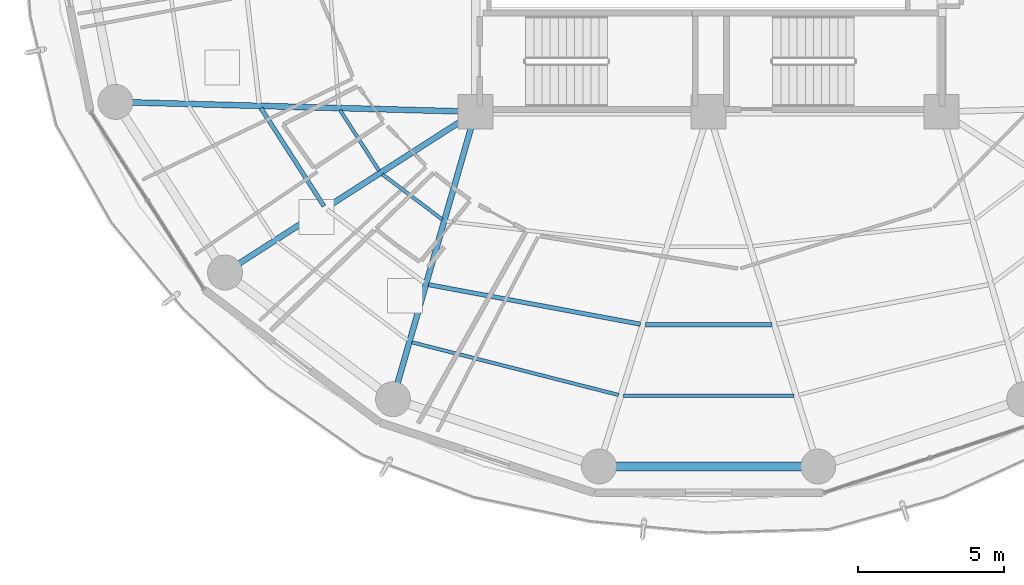
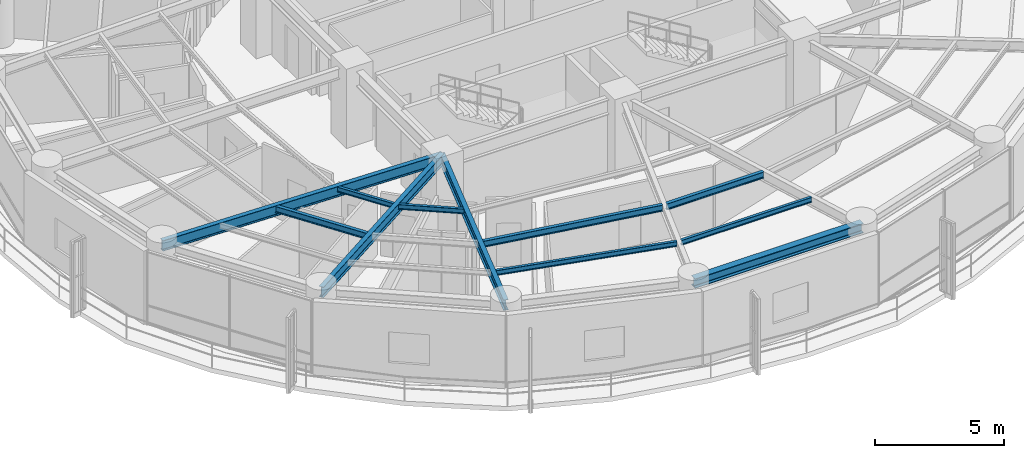
# One storey, part 3 of 28: 11 beams.
"""IFC4 building model written with IfcOpenShell, lengths in metres."""

import ifcopenshell
import ifcopenshell.guid

model = None  # the IFC model being written
_history = None  # IfcOwnerHistory: only IFC2X3 demands one
_inside = {}  # id of a spatial element -> (the spatial element, [elements in it])
_under = {}  # id of a project, library or spatial element -> (it, [spatial elements below it])
_declared = {}  # id of a project -> (the project, [libraries it declares])
_typed = {}  # id of a type object -> (the type object, [elements of that type])
_made_of = {}  # id of a material, layer set ... -> (it, [elements and type objects made of it])


def new_model(schema):
    """Start an empty IFC model of exactly this schema.

    Asked for "IFC4X3", IfcOpenShell would pick the latest addendum, in which some entities
    have other attributes; the version numbers below select the first issue.
    IFC2X3 requires an IfcOwnerHistory on every rooted entity: one is made here for all.
    """
    global model, _history
    if schema == "IFC4X3":
        model = ifcopenshell.file(schema_version=(4, 3, 0, 0))
    else:
        model = ifcopenshell.file(schema=schema)
    _inside.clear()
    _under.clear()
    _declared.clear()
    _typed.clear()
    _made_of.clear()
    _history = None
    if model.schema == "IFC2X3":
        org = make("IfcOrganization", Name="unknown")
        user = make(
            "IfcPersonAndOrganization",
            ThePerson=make("IfcPerson", FamilyName="unknown"),
            TheOrganization=org,
        )
        app = make(
            "IfcApplication",
            ApplicationDeveloper=org,
            Version="unknown",
            ApplicationFullName="unknown",
            ApplicationIdentifier="unknown",
        )
        _history = make(
            "IfcOwnerHistory",
            OwningUser=user,
            OwningApplication=app,
            ChangeAction="ADDED",
            CreationDate=0,
        )
    return model


def make(cls, **values):
    """One entity of the class cls with the attributes given. An attribute that is None is left unset."""
    return model.create_entity(
        cls, **{name: value for name, value in values.items() if value is not None}
    )


def rooted(cls, **values):
    """An entity with a GlobalId (a new one), such as an element, a storey or a relation."""
    return make(cls, GlobalId=ifcopenshell.guid.new(), OwnerHistory=_history, **values)


def si_unit(unit_type, name, prefix=None):
    """IfcSIUnit, for example si_unit("LENGTHUNIT", "METRE", prefix="MILLI")."""
    return make("IfcSIUnit", UnitType=unit_type, Prefix=prefix, Name=name)


def assignment(units):
    """IfcUnitAssignment: the units of a project."""
    return None if units is None else make("IfcUnitAssignment", Units=units)


def point(xyz):
    """IfcCartesianPoint."""
    return None if xyz is None else make("IfcCartesianPoint", Coordinates=xyz)


def direction(xyz):
    """IfcDirection."""
    return None if xyz is None else make("IfcDirection", DirectionRatios=xyz)


def frame(location, z_axis=None, x_axis=None):
    """IfcAxis2Placement3D, a coordinate frame: its origin and axes. An axis left out is left unset."""
    return make(
        "IfcAxis2Placement3D",
        Location=point(location),
        Axis=direction(z_axis),
        RefDirection=direction(x_axis),
    )


def frame_2d(location, x_axis=None):
    """IfcAxis2Placement2D, a coordinate frame in the plane: its origin and x axis."""
    return make(
        "IfcAxis2Placement2D", Location=point(location), RefDirection=direction(x_axis)
    )


def origin():
    """The frame at (0, 0, 0) with its axes left unset."""
    return frame((0.0, 0.0, 0.0))


def origin_2d():
    """The frame at (0, 0) in the plane with its x axis left unset."""
    return frame_2d((0.0, 0.0))


def place(relative_to, where):
    """IfcLocalPlacement: puts the frame where relative to a parent placement (None: the world)."""
    return make(
        "IfcLocalPlacement", PlacementRelTo=relative_to, RelativePlacement=where
    )


def context(
    kind, dimensions, precision=None, world=None, true_north=None, identifier=None
):
    """IfcGeometricRepresentationContext, for example the 3D "Model" context."""
    return make(
        "IfcGeometricRepresentationContext",
        ContextIdentifier=identifier,
        ContextType=kind,
        CoordinateSpaceDimension=dimensions,
        Precision=precision,
        WorldCoordinateSystem=world,
        TrueNorth=true_north,
    )


def subcontext(parent, identifier, kind, view, scale=None):
    """IfcGeometricRepresentationSubContext, for example "Body" below "Model"."""
    return make(
        "IfcGeometricRepresentationSubContext",
        ContextIdentifier=identifier,
        ContextType=kind,
        ParentContext=parent,
        TargetScale=scale,
        TargetView=view,
    )


def project(units=None, contexts=None):
    """IfcProject with its units and contexts."""
    return rooted(
        "IfcProject",
        Name="project",
        RepresentationContexts=contexts,
        UnitsInContext=assignment(units),
    )


def spatial(cls, under=None, at=None, **own):
    """A site, building, storey or space (cls), placed at a placement, below another one or the project."""
    s = rooted(cls, ObjectPlacement=at, **own)
    if under is not None:
        _under.setdefault(under.id(), (under, []))[1].append(s)
    return s


def profile(cls, at=None, kind="AREA", **sizes):
    """A parametric profile (cls). Its sizes go by their IFC names, for example OverallWidth=200.0."""
    return make(cls, ProfileType=kind, Position=at, **sizes)


def i_section(**sizes):
    """IfcIShapeProfileDef."""
    return profile("IfcIShapeProfileDef", **sizes)


def extrude(swept, where, along, depth):
    """IfcExtrudedAreaSolid: the profile swept, set in the frame where, extruded along a direction by depth."""
    return make(
        "IfcExtrudedAreaSolid",
        SweptArea=swept,
        Position=where,
        ExtrudedDirection=direction(along),
        Depth=depth,
    )


def shape(context_of_items, identifier, shape_type, items):
    """IfcShapeRepresentation: the items that make up one representation, for example the "Body"."""
    return make(
        "IfcShapeRepresentation",
        ContextOfItems=context_of_items,
        RepresentationIdentifier=identifier,
        RepresentationType=shape_type,
        Items=items,
    )


def material(Name=None, Category=None):
    """IfcMaterial."""
    return make("IfcMaterial", Name=Name, Category=Category)


def material_profile(
    of_material, cross_section, Name=None, Category=None, Priority=None
):
    """IfcMaterialProfile: a cross section and its material."""
    return make(
        "IfcMaterialProfile",
        Name=Name,
        Material=of_material,
        Profile=cross_section,
        Priority=Priority,
        Category=Category,
    )


def profile_set(profiles, Name=None, composite=None):
    """IfcMaterialProfileSet."""
    return make(
        "IfcMaterialProfileSet",
        Name=Name,
        MaterialProfiles=profiles,
        CompositeProfile=composite,
    )


def made_of(thing, what):
    """Note that an element or type object is made of a material, layer set ...; save() writes the relation."""
    if what is not None:
        _made_of.setdefault(what.id(), (what, []))[1].append(thing)
    return thing


def type_object(cls, material=None, **own):
    """A type object (cls), such as IfcWallType, which elements share."""
    return made_of(rooted(cls, **own), material)


def element(
    cls,
    number,
    at=None,
    inside=None,
    cuts=None,
    type_object=None,
    material=None,
    context=None,
    identifier="Body",
    shape_type=None,
    held_by="IfcProductDefinitionShape",
    body=None,
    shapes=None,
    **own,
):
    """One element of the class cls, such as IfcWall. Its Tag is "e" and its number.

    at: its placement. inside: the storey or other place that contains it. cuts: it is an
    opening in that element (IfcRelVoidsElement). A single representation is given by context,
    identifier, shape_type and body (its items); several are given by shapes. held_by: the class
    of the entity that holds the representations. save() writes the other relations.
    """
    e = rooted(cls, Tag="e%d" % number, ObjectPlacement=at, **own)
    if body is not None:
        shapes = [shape(context, identifier, shape_type, body)]
    if shapes is not None:
        e.Representation = make(held_by, Representations=shapes)
    if inside is not None:
        _inside.setdefault(inside.id(), (inside, []))[1].append(e)
    if cuts is not None:
        rooted(
            "IfcRelVoidsElement", RelatingBuildingElement=cuts, RelatedOpeningElement=e
        )
    if type_object is not None:
        _typed.setdefault(type_object.id(), (type_object, []))[1].append(e)
    return made_of(e, material)


def aggregate(whole, parts):
    """IfcRelAggregates: a whole, such as a stair, and the parts it consists of."""
    return rooted("IfcRelAggregates", RelatingObject=whole, RelatedObjects=parts)


def save(model, path):
    """Write the relations noted so far, then the file.

    IfcRelAggregates (storeys below a building ...), IfcRelContainedInSpatialStructure (elements
    in a storey), IfcRelDefinesByType, IfcRelAssociatesMaterial and IfcRelDeclares: one each for
    every whole, place, type object, material and project.
    """
    for whole, parts in _under.values():
        aggregate(whole, parts)
    for where, things in _inside.values():
        rooted(
            "IfcRelContainedInSpatialStructure",
            RelatedElements=things,
            RelatingStructure=where,
        )
    for kind, things in _typed.values():
        rooted("IfcRelDefinesByType", RelatedObjects=things, RelatingType=kind)
    for what, things in _made_of.values():
        rooted("IfcRelAssociatesMaterial", RelatedObjects=things, RelatingMaterial=what)
    for by, libraries in _declared.values():
        rooted("IfcRelDeclares", RelatingContext=by, RelatedDefinitions=libraries)
    model.write(path)


model = new_model("IFC4")

# Units and contexts
model_context = context("Model", 3, precision=1e-05, world=origin(), true_north=direction((0.0, 1.0)))
body_context = subcontext(model_context, "Body", "Model", "MODEL_VIEW")
ifc_project = project(units=[si_unit("LENGTHUNIT", "METRE"), si_unit("AREAUNIT", "SQUARE_METRE"), si_unit("VOLUMEUNIT", "CUBIC_METRE"), si_unit("PLANEANGLEUNIT", "RADIAN"), si_unit("MASSUNIT", "GRAM", prefix="KILO")], contexts=[model_context])

# Site, building, storey
site_placement = place(None, origin())
site = spatial("IfcSite", under=ifc_project, at=site_placement, CompositionType="ELEMENT")
building_placement = place(site_placement, origin())
building = spatial("IfcBuilding", under=site, at=building_placement, Name="Kelanora Arch Commons", CompositionType="ELEMENT")
storey_placement = place(building_placement, frame((0.0, 0.0, 158.10009765625)))
storey = spatial("IfcBuildingStorey", under=building, at=storey_placement, Name="L40", CompositionType="ELEMENT", Elevation=158.10009765625)

# Beams
ifc_material = material(Name="Steel S355", Category="steel")
ifc_material_profile_1 = material_profile(ifc_material, i_section(OverallWidth=0.14990234375, OverallDepth=0.300048828125, WebThickness=0.007080078125, FlangeThickness=0.0107421875, FilletRadius=0.014892578125, at=origin_2d()), Name="IPE300")
ifc_profile_set_1 = profile_set([ifc_material_profile_1], Name="Steel S355")
beam_type_1 = type_object("IfcBeamType", Name="BM-JST-01", PredefinedType="JOIST", material=ifc_profile_set_1)
beam_1_placement = place(storey_placement, frame((58.622314453125, 51.130859375, 3.33984375), z_axis=(0.540594434398, -0.841283339606, 0.0), x_axis=(0.841283339606, 0.540594434398, 0.0)))
element("IfcBeam", 1, at=beam_1_placement, inside=storey, type_object=beam_type_1, Name="Secondary Chord Joist BJB-20 L40", PredefinedType="JOIST", context=body_context, shape_type="SweptSolid", body=[
    extrude(i_section(OverallWidth=0.14990234375, OverallDepth=0.300048828125, WebThickness=0.007080078125, FlangeThickness=0.0107421875, FilletRadius=0.014892578125, at=origin_2d()), origin(), (0.0, 0.0, 1.0), 4.008544921875),
])
beam_2_placement = place(storey_placement, frame((64.379638671875, 45.062255859375, 3.33984375), z_axis=(0.983054256126, -0.183314837134, 0.0), x_axis=(0.183314837134, 0.983054256126, 0.0)))
element("IfcBeam", 2, at=beam_2_placement, inside=storey, type_object=beam_type_1, Name="Secondary Chord Joist BJB-24 L40", PredefinedType="JOIST", context=body_context, shape_type="SweptSolid", body=[
    extrude(i_section(OverallWidth=0.14990234375, OverallDepth=0.300048828125, WebThickness=0.007080078125, FlangeThickness=0.0107421875, FilletRadius=0.014892578125, at=origin_2d()), origin(), (0.0, 0.0, 1.0), 7.403564453125),
])
beam_3_placement = place(storey_placement, frame((71.826171875, 43.689453125, 3.33984375), z_axis=(1.0, 0.0, 0.0), x_axis=(0.0, 1.0, 0.0)))
element("IfcBeam", 3, at=beam_3_placement, inside=storey, type_object=beam_type_1, Name="Secondary Chord Joist BJB-26 L40", PredefinedType="JOIST", context=body_context, shape_type="SweptSolid", body=[
    extrude(i_section(OverallWidth=0.14990234375, OverallDepth=0.300048828125, WebThickness=0.007080078125, FlangeThickness=0.0107421875, FilletRadius=0.014892578125, at=origin_2d()), origin(), (0.0, 0.0, 1.0), 4.34765625),
])
ifc_material_profile_2 = material_profile(ifc_material, i_section(OverallWidth=0.1201171875, OverallDepth=0.239990234375, WebThickness=0.006103515625, FlangeThickness=0.009765625, FilletRadius=0.014892578125, at=origin_2d()), Name="IPE240")
ifc_profile_set_2 = profile_set([ifc_material_profile_2], Name="Steel S355")
beam_type_2 = type_object("IfcBeamType", Name="BM-JST-02", PredefinedType="JOIST", material=ifc_profile_set_2)
beam_4_placement = place(storey_placement, frame((61.344482421875, 51.056640625, 3.369873046875), z_axis=(0.540583174025, -0.841290575224, 0.0), x_axis=(0.841290575224, 0.540583174025, 0.0)))
element("IfcBeam", 4, at=beam_4_placement, inside=storey, type_object=beam_type_2, Name="Secondary Chord Joist BJA-20 L40", PredefinedType="JOIST", context=body_context, shape_type="SweptSolid", body=[
    extrude(i_section(OverallWidth=0.1201171875, OverallDepth=0.239990234375, WebThickness=0.006103515625, FlangeThickness=0.009765625, FilletRadius=0.014892578125, at=origin_2d()), origin(), (0.0, 0.0, 1.0), 2.476318359375),
])
beam_5_placement = place(storey_placement, frame((62.796875, 48.8505859375, 3.369873046875), z_axis=(0.798484118859, -0.602015873487, 0.0), x_axis=(0.602015873487, 0.798484118859, 0.0)))
element("IfcBeam", 5, at=beam_5_placement, inside=storey, type_object=beam_type_2, Name="Secondary Chord Joist BJA-22 L40", PredefinedType="JOIST", context=body_context, shape_type="SweptSolid", body=[
    extrude(i_section(OverallWidth=0.1201171875, OverallDepth=0.239990234375, WebThickness=0.006103515625, FlangeThickness=0.009765625, FilletRadius=0.014892578125, at=origin_2d()), origin(), (0.0, 0.0, 1.0), 2.57470703125),
])
beam_6_placement = place(storey_placement, frame((63.810302734375, 43.082763671875, 3.369873046875), z_axis=(0.96900232943, -0.247051584815, 0.0), x_axis=(0.247051584815, 0.96900232943, 0.0)))
element("IfcBeam", 6, at=beam_6_placement, inside=storey, type_object=beam_type_2, Name="Secondary Chord Joist BJC-24 L40", PredefinedType="JOIST", context=body_context, shape_type="SweptSolid", body=[
    extrude(i_section(OverallWidth=0.1201171875, OverallDepth=0.239990234375, WebThickness=0.006103515625, FlangeThickness=0.009765625, FilletRadius=0.014892578125, at=origin_2d()), origin(), (0.0, 0.0, 1.0), 7.32275390625),
])
beam_7_placement = place(storey_placement, frame((71.0732421875, 41.252685546875, 3.369873046875), z_axis=(1.0, 0.0, 0.0), x_axis=(0.0, 1.0, 0.0)))
element("IfcBeam", 7, at=beam_7_placement, inside=storey, type_object=beam_type_2, Name="Secondary Chord Joist BJC-26 L40", PredefinedType="JOIST", context=body_context, shape_type="SweptSolid", body=[
    extrude(i_section(OverallWidth=0.1201171875, OverallDepth=0.239990234375, WebThickness=0.006103515625, FlangeThickness=0.009765625, FilletRadius=0.014892578125, at=origin_2d()), origin(), (0.0, 0.0, 1.0), 5.853515625),
])
ifc_material_profile_3 = material_profile(ifc_material, i_section(OverallWidth=0.199951171875, OverallDepth=0.5, WebThickness=0.01025390625, FlangeThickness=0.01611328125, FilletRadius=0.02099609375, at=origin_2d()), Name="IPE500")
ifc_profile_set_3 = profile_set([ifc_material_profile_3], Name="Steel S355")
beam_type_3 = type_object("IfcBeamType", Name="BM-RAD-Z3", PredefinedType="BEAM", material=ifc_profile_set_3)
beam_8_placement = place(storey_placement, frame((66.0, 51.0, 3.239990234375), z_axis=(-0.999628374924, 0.027260081577, 0.0), x_axis=(-0.027260081577, -0.999628374924, 0.0)))
element("IfcBeam", 8, at=beam_8_placement, inside=storey, type_object=beam_type_3, Name="Radial Floor Girder BR-20 L40", PredefinedType="BEAM", context=body_context, shape_type="SweptSolid", body=[
    extrude(i_section(OverallWidth=0.199951171875, OverallDepth=0.5, WebThickness=0.01025390625, FlangeThickness=0.01611328125, FilletRadius=0.02099609375, at=origin_2d()), origin(), (0.0, 0.0, 1.0), 12.377197265625),
])
beam_9_placement = place(storey_placement, frame((66.0, 51.0, 3.239990234375), z_axis=(-0.841719465748, -0.539915123868, 0.0), x_axis=(0.539915123868, -0.841719465748, 0.0)))
element("IfcBeam", 9, at=beam_9_placement, inside=storey, type_object=beam_type_3, Name="Radial Floor Girder BR-22 L40", PredefinedType="BEAM", context=body_context, shape_type="SweptSolid", body=[
    extrude(i_section(OverallWidth=0.199951171875, OverallDepth=0.5, WebThickness=0.01025390625, FlangeThickness=0.01611328125, FilletRadius=0.02099609375, at=origin_2d()), origin(), (0.0, 0.0, 1.0), 10.2265625),
])
beam_10_placement = place(storey_placement, frame((66.0, 51.0, 3.239990234375), z_axis=(-0.276525880065, -0.961006471182, 0.0), x_axis=(0.961006471182, -0.276525880065, 0.0)))
element("IfcBeam", 10, at=beam_10_placement, inside=storey, type_object=beam_type_3, Name="Radial Floor Girder BR-24 L40", PredefinedType="BEAM", context=body_context, shape_type="SweptSolid", body=[
    extrude(i_section(OverallWidth=0.199951171875, OverallDepth=0.5, WebThickness=0.01025390625, FlangeThickness=0.01611328125, FilletRadius=0.02099609375, at=origin_2d()), origin(), (0.0, 0.0, 1.0), 10.2705078125),
])
ifc_material_profile_4 = material_profile(ifc_material, i_section(OverallWidth=0.300048828125, OverallDepth=0.449951171875, WebThickness=0.013916015625, FlangeThickness=0.02587890625, FilletRadius=0.027099609375, at=origin_2d()), Name="HEB450")
ifc_profile_set_4 = profile_set([ifc_material_profile_4], Name="Steel S355")
beam_type_4 = type_object("IfcBeamType", Name="BM-SPN-Z3", PredefinedType="SPANDREL", material=ifc_profile_set_4)
beam_11_placement = place(storey_placement, frame((70.2353515625, 38.81591796875, 3.264892578125), z_axis=(1.0, 0.0, 0.0), x_axis=(0.0, 1.0, 0.0)))
element("IfcBeam", 11, at=beam_11_placement, inside=storey, type_object=beam_type_4, Name="Perimeter Spandrel Beam BS-26 L40", PredefinedType="SPANDREL", context=body_context, shape_type="SweptSolid", body=[
    extrude(i_section(OverallWidth=0.300048828125, OverallDepth=0.449951171875, WebThickness=0.013916015625, FlangeThickness=0.02587890625, FilletRadius=0.027099609375, at=origin_2d()), origin(), (0.0, 0.0, 1.0), 7.529296875),
])

save(model, "model.ifc")
